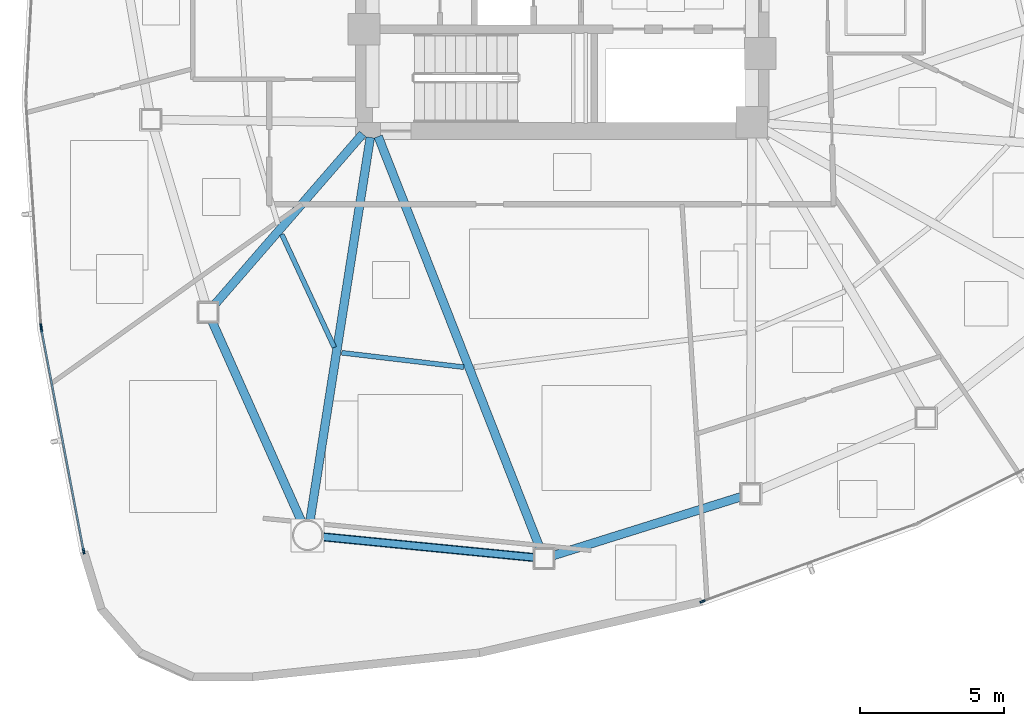
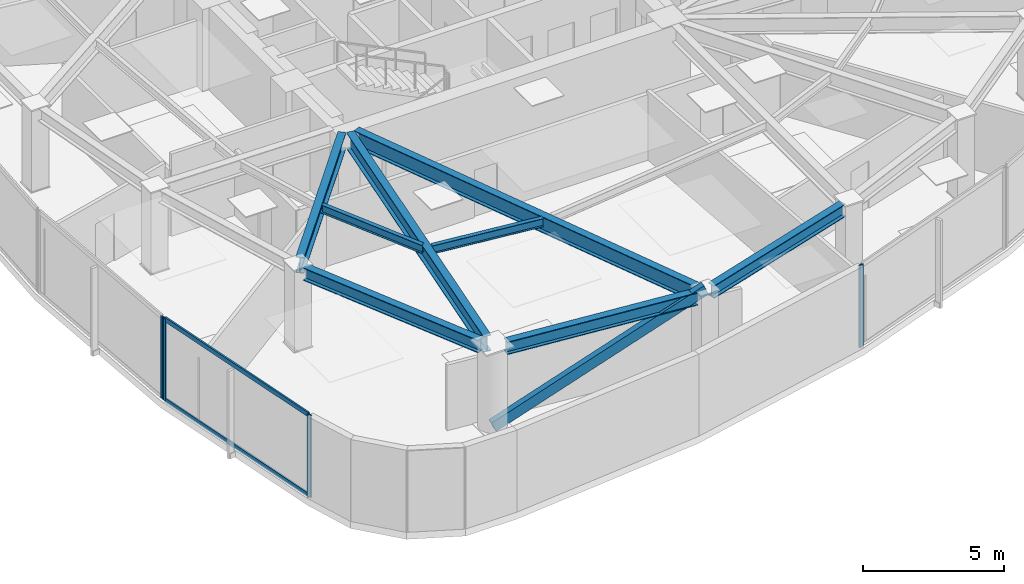
# One storey, part 2 of 17: 8 beams, 7 members, 3 elements without a shape of their own.
"""IFC4 building model written with IfcOpenShell, lengths in metres."""

from ifc_helpers import new_model, si_unit, direction, frame, origin, origin_2d, place, context, subcontext, project, spatial, hollow_rectangle, i_section, extrude, source, transform, mapped, material, layer, layer_set, material_profile, profile_set, type_object, type_shapes, element, aggregate, save


model = new_model("IFC4")

# Units and contexts
model_context = context("Model", 3, precision=1e-05, world=origin(), true_north=direction((0.0, 1.0)))
body_context = subcontext(model_context, "Body", "Model", "MODEL_VIEW")
ifc_project = project(units=[si_unit("LENGTHUNIT", "METRE"), si_unit("AREAUNIT", "SQUARE_METRE"), si_unit("VOLUMEUNIT", "CUBIC_METRE"), si_unit("PLANEANGLEUNIT", "RADIAN"), si_unit("MASSUNIT", "GRAM", prefix="KILO")], contexts=[model_context])

# Site, building, storey
site_placement = place(None, origin())
site = spatial("IfcSite", under=ifc_project, at=site_placement, CompositionType="ELEMENT")
building_placement = place(site_placement, origin())
building = spatial("IfcBuilding", under=site, at=building_placement, Name="Tavelor Broadcast Tower", CompositionType="ELEMENT")
storey_placement = place(building_placement, frame((0.0, 0.0, 131.0)))
storey = spatial("IfcBuildingStorey", under=building, at=storey_placement, Name="L30", CompositionType="ELEMENT", Elevation=131.0)

# Beams
ifc_material_1 = material(Name="Steel S355", Category="steel")
ifc_material_profile_1 = material_profile(ifc_material_1, i_section(OverallWidth=0.169921875, OverallDepth=0.360107421875, WebThickness=0.008056640625, FlangeThickness=0.0126953125, at=origin_2d()), Name="IPE 360")
ifc_profile_set_1 = profile_set([ifc_material_profile_1], Name="Steel S355")
beam_type_1 = type_object("IfcBeamType", Name="Composite Floor Joist T3 IPE 360", PredefinedType="JOIST", material=ifc_profile_set_1)
beam_1_placement = place(storey_placement, frame((40.237548828125, 34.901123046875, 3.3701171875), z_axis=(0.421480014114, -0.906837690936, 0.0), x_axis=(0.906837690936, 0.421480014114, 0.0)))
element("IfcBeam", 1, at=beam_1_placement, inside=storey, type_object=beam_type_1, Name="L30 Secondary Composite Floor Joist 06", PredefinedType="JOIST", context=body_context, shape_type="SweptSolid", body=[
    extrude(i_section(OverallWidth=0.169921875, OverallDepth=0.360107421875, WebThickness=0.008056640625, FlangeThickness=0.0126953125, at=origin_2d()), origin(), (0.0, 0.0, 1.0), 4.337890625),
])
beam_2_placement = place(storey_placement, frame((42.32177734375, 30.781982421875, 3.3701171875), z_axis=(0.993083165759, -0.117413056713, 0.0), x_axis=(0.117413056713, 0.993083165759, 0.0)))
element("IfcBeam", 2, at=beam_2_placement, inside=storey, type_object=beam_type_1, Name="L30 Secondary Composite Floor Joist 07", PredefinedType="JOIST", context=body_context, shape_type="SweptSolid", body=[
    extrude(i_section(OverallWidth=0.169921875, OverallDepth=0.360107421875, WebThickness=0.008056640625, FlangeThickness=0.0126953125, at=origin_2d()), origin(), (0.0, 0.0, 1.0), 4.285400390625),
])
ifc_material_profile_2 = material_profile(ifc_material_1, i_section(OverallWidth=0.300048828125, OverallDepth=0.550048828125, WebThickness=0.014892578125, FlangeThickness=0.029052734375, at=origin_2d()), Name="HEB 550")
ifc_profile_set_2 = profile_set([ifc_material_profile_2], Name="Steel S355")
beam_type_2 = type_object("IfcBeamType", Name="Perimeter Spandrel Beam T3 HEB 550", PredefinedType="SPANDREL", material=ifc_profile_set_2)
beam_3_placement = place(storey_placement, frame((37.80517578125, 31.883544921875, 3.27490234375), z_axis=(0.407977377403, -0.912992036946, 0.0), x_axis=(0.912992036946, 0.407977377403, 0.0)))
element("IfcBeam", 3, at=beam_3_placement, inside=storey, type_object=beam_type_2, Name="L30 Framed-Tube Ring Spandrel 06", PredefinedType="SPANDREL", context=body_context, shape_type="SweptSolid", body=[
    extrude(i_section(OverallWidth=0.300048828125, OverallDepth=0.550048828125, WebThickness=0.014892578125, FlangeThickness=0.029052734375, at=origin_2d()), origin(), (0.0, 0.0, 1.0), 7.658447265625),
])
beam_4_placement = place(storey_placement, frame((41.6484375, 24.373779296875, 3.27490234375), z_axis=(0.995250868203, -0.097343255237, 0.0), x_axis=(0.097343255237, 0.995250868203, 0.0)))
element("IfcBeam", 4, at=beam_4_placement, inside=storey, type_object=beam_type_2, Name="L30 Framed-Tube Ring Spandrel 07", PredefinedType="SPANDREL", context=body_context, shape_type="SweptSolid", body=[
    extrude(i_section(OverallWidth=0.300048828125, OverallDepth=0.550048828125, WebThickness=0.014892578125, FlangeThickness=0.029052734375, at=origin_2d()), origin(), (0.0, 0.0, 1.0), 7.418701171875),
])
beam_5_placement = place(storey_placement, frame((49.68701171875, 23.719482421875, 3.27490234375), z_axis=(0.954271632066, 0.29894088418, 0.0), x_axis=(-0.29894088418, 0.954271632066, 0.0)))
element("IfcBeam", 5, at=beam_5_placement, inside=storey, type_object=beam_type_2, Name="L30 Framed-Tube Ring Spandrel 08", PredefinedType="SPANDREL", context=body_context, shape_type="SweptSolid", body=[
    extrude(i_section(OverallWidth=0.300048828125, OverallDepth=0.550048828125, WebThickness=0.014892578125, FlangeThickness=0.029052734375, at=origin_2d()), origin(), (0.0, 0.0, 1.0), 6.867431640625),
])

# Member
ifc_material_profile_3 = material_profile(ifc_material_1, hollow_rectangle(XDim=0.25, YDim=0.449951171875, WallThickness=0.02001953125, at=origin_2d()), Name="RHS 450x250x20")
ifc_profile_set_3 = profile_set([ifc_material_profile_3], Name="Steel S355")
member_type_1 = type_object("IfcMemberType", Name="Perimeter Tube Brace T3 RHS 450x250x20", PredefinedType="BRACE", material=ifc_profile_set_3)
member_1_placement = place(storey_placement, frame((41.138671875, 24.423828125, 0.0), z_axis=(0.914496364203, -0.089466025126, 0.394578547577), x_axis=(0.097366094377, 0.995248634094, 0.0)))
element("IfcMember", 6, at=member_1_placement, inside=storey, type_object=member_type_1, Name="L30 Corner Tube Diagonal Brace 2", PredefinedType="BRACE", context=body_context, shape_type="SweptSolid", body=[
    extrude(hollow_rectangle(XDim=0.25, YDim=0.449951171875, WallThickness=0.02001953125, at=origin_2d()), origin(), (0.0, 0.0, 1.0), 8.9970703125),
])

# Beams
ifc_material_profile_4 = material_profile(ifc_material_1, i_section(OverallWidth=0.300048828125, OverallDepth=0.68994140625, WebThickness=0.014404296875, FlangeThickness=0.027099609375, at=origin_2d()), Name="HEA 700")
ifc_profile_set_4 = profile_set([ifc_material_profile_4], Name="Steel S355")
beam_type_3 = type_object("IfcBeamType", Name="Radial Floor Girder T3 HEA 700", PredefinedType="BEAM", material=ifc_profile_set_4)
beam_6_placement = place(storey_placement, frame((43.05419921875, 38.401123046875, 3.205078125), z_axis=(-0.655166261537, -0.755484725024, 0.0), x_axis=(0.755484725024, -0.655166261537, 0.0)))
element("IfcBeam", 7, at=beam_6_placement, inside=storey, type_object=beam_type_3, Name="L30 Radial Primary Floor Girder 06", PredefinedType="BEAM", context=body_context, shape_type="SweptSolid", body=[
    extrude(i_section(OverallWidth=0.300048828125, OverallDepth=0.68994140625, WebThickness=0.014404296875, FlangeThickness=0.027099609375, at=origin_2d()), origin(), (0.0, 0.0, 1.0), 7.885009765625),
])
beam_7_placement = place(storey_placement, frame((43.318115234375, 38.2783203125, 3.205078125), z_axis=(-0.1553975273, -0.987852017515, 0.0), x_axis=(0.987852017515, -0.1553975273, 0.0)))
element("IfcBeam", 8, at=beam_7_placement, inside=storey, type_object=beam_type_3, Name="L30 Radial Primary Floor Girder 07", PredefinedType="BEAM", context=body_context, shape_type="SweptSolid", body=[
    extrude(i_section(OverallWidth=0.300048828125, OverallDepth=0.68994140625, WebThickness=0.014404296875, FlangeThickness=0.027099609375, at=origin_2d()), origin(), (0.0, 0.0, 1.0), 13.5126953125),
])
beam_8_placement = place(storey_placement, frame((43.593017578125, 38.30859375, 3.205078125), z_axis=(0.365795149989, -0.930695389612, 0.0), x_axis=(0.930695389612, 0.365795149989, 0.0)))
element("IfcBeam", 9, at=beam_8_placement, inside=storey, type_object=beam_type_3, Name="L30 Radial Primary Floor Girder 08", PredefinedType="BEAM", context=body_context, shape_type="SweptSolid", body=[
    extrude(i_section(OverallWidth=0.300048828125, OverallDepth=0.68994140625, WebThickness=0.014404296875, FlangeThickness=0.027099609375, at=origin_2d()), origin(), (0.0, 0.0, 1.0), 15.447509765625),
])

# Curtain wall, member
ifc_material_2 = material(Name="Architectural Anodized Aluminium", Category="aluminium")
ifc_layer = layer(ifc_material_2, 0.18994140625)
ifc_layer_set = layer_set([ifc_layer], Name="Architectural Anodized Aluminium")
curtain_wall_type = type_object("IfcCurtainWallType", Name="Tower Mid-Zone Acoustic Curtain Wall CW03", PredefinedType="NOTDEFINED", material=ifc_layer_set)
curtain_wall_1_placement = place(storey_placement, origin())
curtain_wall_1 = element("IfcCurtainWall", 10, at=curtain_wall_1_placement, inside=storey, type_object=curtain_wall_type, Name="L30 Curtain Wall CW03 Run 303", PredefinedType="NOTDEFINED")
ifc_material_profile_5 = material_profile(ifc_material_2, hollow_rectangle(XDim=0.068115234375, YDim=0.18994140625, WallThickness=0.02197265625, at=origin_2d()), Name="RHS 68x190x22")
ifc_profile_set_5 = profile_set([ifc_material_profile_5], Name="Architectural Anodized Aluminium")
member_type_2 = type_object("IfcMemberType", Name="CW03 Extruded Aluminium Mullion 68x190", PredefinedType="MULLION", material=ifc_profile_set_5)
shared_shape_1 = source(origin(), body_context, "Body", "SweptSolid", [
    extrude(hollow_rectangle(XDim=0.068115234375, YDim=0.18994140625, WallThickness=0.02197265625, at=origin_2d()), origin(), (0.0, 0.0, 1.0), 3.550048828125),
])
type_shapes(member_type_2, [shared_shape_1])
member_2_placement = place(storey_placement, frame((31.855224609375, 31.698974609375, 0.0), z_axis=(0.0, 0.0, 1.0), x_axis=(0.997772014583, 0.06671586704, 0.0)))
member_2 = element("IfcMember", 11, at=member_2_placement, type_object=member_type_2, Name="CW03 mullion 2", PredefinedType="MULLION", context=body_context, shape_type="MappedRepresentation", body=[
    mapped(shared_shape_1, transform((0.0, 0.0, 0.0), scale=1.0)),
])
aggregate(curtain_wall_1, [member_2])

# Curtain wall, members
curtain_wall_2_placement = place(storey_placement, origin())
curtain_wall_2 = element("IfcCurtainWall", 12, at=curtain_wall_2_placement, inside=storey, type_object=curtain_wall_type, Name="L30 Curtain Wall CW03 Run 304", PredefinedType="NOTDEFINED")
member_3_placement = place(storey_placement, frame((31.86767578125, 31.60205078125, 0.0), z_axis=(0.0, 0.0, 1.0), x_axis=(0.98236501621, 0.186973193071, 0.0)))
member_3 = element("IfcMember", 13, at=member_3_placement, type_object=member_type_2, Name="CW03 mullion 1", PredefinedType="MULLION", context=body_context, shape_type="MappedRepresentation", body=[
    mapped(shared_shape_1, transform((0.0, 0.0, 0.0), scale=1.0)),
])
member_4_placement = place(storey_placement, frame((33.33935546875, 23.86962890625, 0.0), z_axis=(0.0, 0.0, 1.0), x_axis=(0.98236501621, 0.186973193071, 0.0)))
member_4 = element("IfcMember", 14, at=member_4_placement, type_object=member_type_2, Name="CW03 mullion 2", PredefinedType="MULLION", context=body_context, shape_type="MappedRepresentation", body=[
    mapped(shared_shape_1, transform((0.0, 0.0, 0.0), scale=1.0)),
])

# Curtain wall, member
curtain_wall_3_placement = place(storey_placement, origin())
curtain_wall_3 = element("IfcCurtainWall", 15, at=curtain_wall_3_placement, inside=storey, type_object=curtain_wall_type, Name="L30 Curtain Wall CW03 Run 305", PredefinedType="NOTDEFINED")
member_5_placement = place(storey_placement, frame((54.885986328125, 22.125244140625, 0.0), z_axis=(0.0, 0.0, 1.0), x_axis=(-0.340788050023, 0.940140151765, 0.0)))
member_5 = element("IfcMember", 16, at=member_5_placement, type_object=member_type_2, Name="CW03 mullion 1", PredefinedType="MULLION", context=body_context, shape_type="MappedRepresentation", body=[
    mapped(shared_shape_1, transform((0.0, 0.0, 0.0), scale=1.0)),
])
aggregate(curtain_wall_3, [member_5])

# Member
ifc_material_profile_6 = material_profile(ifc_material_2, hollow_rectangle(XDim=0.068115234375, YDim=0.18994140625, WallThickness=0.02197265625, at=origin_2d()), Name="RHS 68x190x22")
ifc_profile_set_6 = profile_set([ifc_material_profile_6], Name="Architectural Anodized Aluminium")
member_type_3 = type_object("IfcMemberType", Name="CW03 Extruded Aluminium Transom 68x190", PredefinedType="USERDEFINED", material=ifc_profile_set_6)
shared_shape_2 = source(origin(), body_context, "Body", "SweptSolid", [
    extrude(hollow_rectangle(XDim=0.068115234375, YDim=0.18994140625, WallThickness=0.02197265625, at=origin_2d()), origin(), (0.0, 0.0, 1.0), 7.80322265625),
])
type_shapes(member_type_3, [shared_shape_2])
member_6_placement = place(storey_placement, frame((31.8740234375, 31.568603515625, 0.033935546875), z_axis=(0.186974085048, -0.98236484644, 0.0), x_axis=(0.98236484644, 0.186974085048, 0.0)))
member_6 = element("IfcMember", 17, at=member_6_placement, type_object=member_type_3, Name="CW03 transom 1.1", ObjectType="TRANSOM", PredefinedType="USERDEFINED", context=body_context, shape_type="MappedRepresentation", body=[
    mapped(shared_shape_2, transform((0.0, 0.0, 0.0), scale=1.0)),
])

member_7_placement = place(storey_placement, frame((31.8740234375, 31.568603515625, 3.51611328125), z_axis=(0.186974085048, -0.98236484644, 0.0), x_axis=(0.98236484644, 0.186974085048, 0.0)))
member_7 = element("IfcMember", 18, at=member_7_placement, type_object=member_type_3, Name="CW03 transom 1.2", ObjectType="TRANSOM", PredefinedType="USERDEFINED", context=body_context, shape_type="MappedRepresentation", body=[
    mapped(shared_shape_2, transform((0.0, 0.0, 0.0), scale=1.0)),
])

aggregate(curtain_wall_2, [member_3, member_4, member_6, member_7])

save(model, "model.ifc")
